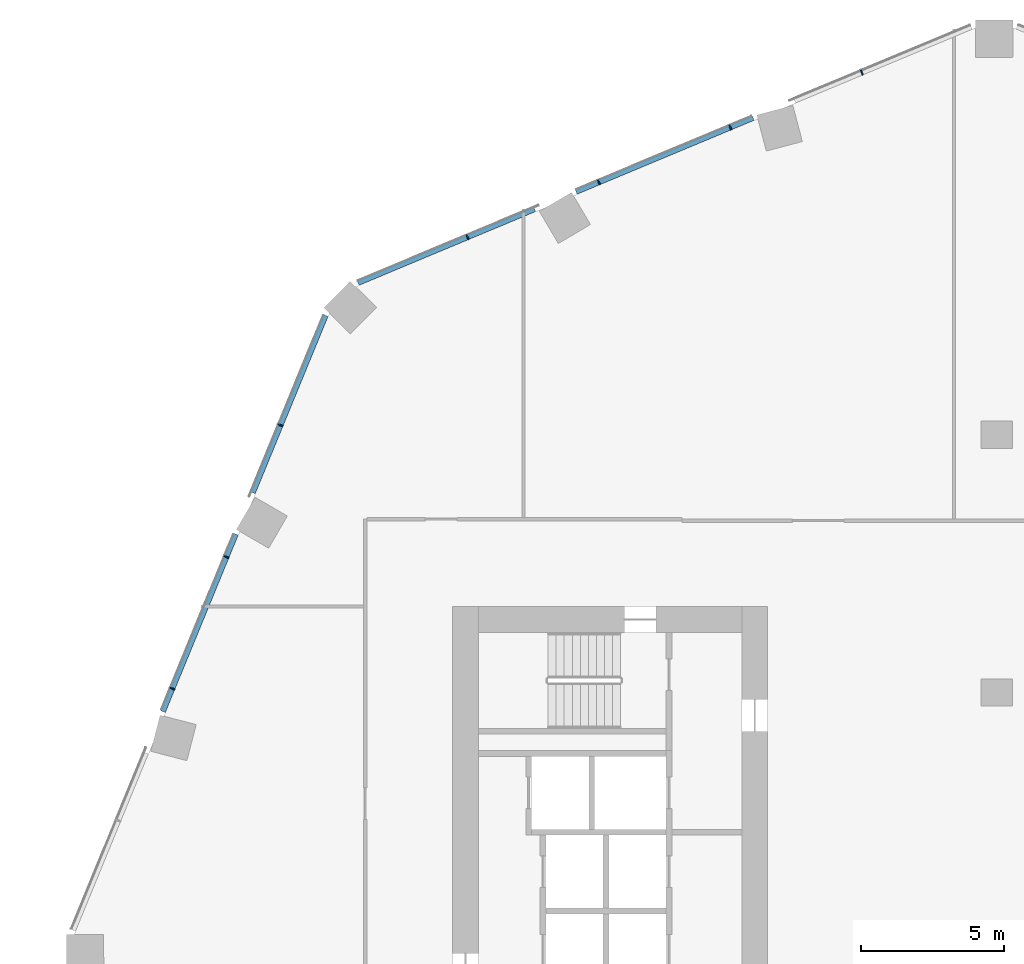
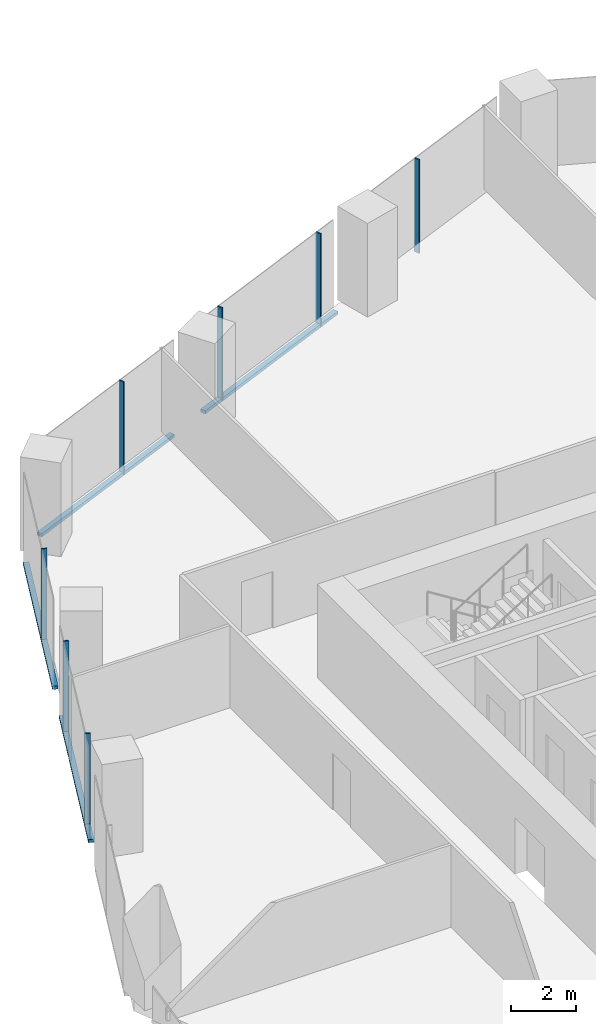
# One storey, part 12 of 34: 11 members, 2 elements without a shape of their own.
"""IFC4 building model written with IfcOpenShell, lengths in metres."""

from ifc_helpers import new_model, si_unit, direction, frame, origin, origin_2d, place, context, subcontext, project, spatial, rectangle, extrude, material, material_profile, profile_set, type_object, element, aggregate, save


model = new_model("IFC4")

# Units and contexts
model_context = context("Model", 3, precision=1e-05, world=origin(), true_north=direction((0.0, 1.0)))
body_context = subcontext(model_context, "Body", "Model", "MODEL_VIEW")
ifc_project = project(units=[si_unit("LENGTHUNIT", "METRE"), si_unit("AREAUNIT", "SQUARE_METRE"), si_unit("VOLUMEUNIT", "CUBIC_METRE"), si_unit("PLANEANGLEUNIT", "RADIAN"), si_unit("MASSUNIT", "GRAM", prefix="KILO")], contexts=[model_context])

# Site, building, storey
site_placement = place(None, origin())
site = spatial("IfcSite", under=ifc_project, at=site_placement, CompositionType="ELEMENT")
building_placement = place(site_placement, origin())
building = spatial("IfcBuilding", under=site, at=building_placement, Name="Orlundy Tower", CompositionType="ELEMENT")
storey_placement = place(building_placement, frame((0.0, 0.0, 109.199951171875)))
storey = spatial("IfcBuildingStorey", under=building, at=storey_placement, Name="L27", CompositionType="ELEMENT", Elevation=109.199951171875)

# Curtain wall, members
ifc_material_1 = material(Name="Aluminium bronze anodised", Category="aluminium")
curtain_wall_type = type_object("IfcCurtainWallType", Name="CW1 wall", PredefinedType="NOTDEFINED", material=ifc_material_1)
curtain_wall_1_placement = place(storey_placement, origin())
curtain_wall_1 = element("IfcCurtainWall", 1, at=curtain_wall_1_placement, inside=storey, type_object=curtain_wall_type, Name="CW1 run 014", PredefinedType="NOTDEFINED")
ifc_material_2 = material(Name="Aluminium bronze anodised", Category="aluminium")
ifc_material_profile_1 = material_profile(ifc_material_2, rectangle(XDim=0.179931640625, YDim=0.050048828125, at=origin_2d()), Name="CW1 mullion 50x180")
ifc_profile_set_1 = profile_set([ifc_material_profile_1], Name="Aluminium bronze anodised")
member_type_1 = type_object("IfcMemberType", Name="CW1 mullion 50x180", PredefinedType="MULLION", material=ifc_profile_set_1)
member_1_placement = place(storey_placement, frame((-28.777587890625, 9.135498046875, -0.39990234375), z_axis=(0.0, 0.0, 1.0), x_axis=(-0.924984462277, 0.380004927003, 0.0)))
member_1 = element("IfcMember", 2, at=member_1_placement, type_object=member_type_1, Name="CW1 mullion 36", PredefinedType="MULLION", context=body_context, shape_type="SweptSolid", body=[
    extrude(rectangle(XDim=0.179931640625, YDim=0.050048828125, at=origin_2d()), origin(), (0.0, 0.0, 1.0), 3.5),
])
member_2_placement = place(storey_placement, frame((-26.888916015625, 13.73291015625, -0.39990234375), z_axis=(0.0, 0.0, 1.0), x_axis=(-0.924984462277, 0.380004927003, 0.0)))
member_2 = element("IfcMember", 3, at=member_2_placement, type_object=member_type_1, Name="CW1 mullion 37", PredefinedType="MULLION", context=body_context, shape_type="SweptSolid", body=[
    extrude(rectangle(XDim=0.179931640625, YDim=0.050048828125, at=origin_2d()), origin(), (0.0, 0.0, 1.0), 3.5),
])
member_3_placement = place(storey_placement, frame((-25.0, 18.33056640625, -0.39990234375), z_axis=(0.0, 0.0, 1.0), x_axis=(-0.924984462277, 0.380004927003, 0.0)))
member_3 = element("IfcMember", 4, at=member_3_placement, type_object=member_type_1, Name="CW1 mullion 38", PredefinedType="MULLION", context=body_context, shape_type="SweptSolid", body=[
    extrude(rectangle(XDim=0.179931640625, YDim=0.050048828125, at=origin_2d()), origin(), (0.0, 0.0, 1.0), 3.5),
])

curtain_wall_2_placement = place(storey_placement, origin())
curtain_wall_2 = element("IfcCurtainWall", 5, at=curtain_wall_2_placement, inside=storey, type_object=curtain_wall_type, Name="CW1 run 015", PredefinedType="NOTDEFINED")
member_4_placement = place(storey_placement, frame((-18.475830078125, 24.892578125, -0.39990234375), z_axis=(0.0, 0.0, 1.0), x_axis=(-0.385375204433, 0.922759964351, 0.0)))
member_4 = element("IfcMember", 6, at=member_4_placement, type_object=member_type_1, Name="CW1 mullion 40", PredefinedType="MULLION", context=body_context, shape_type="SweptSolid", body=[
    extrude(rectangle(XDim=0.179931640625, YDim=0.050048828125, at=origin_2d()), origin(), (0.0, 0.0, 1.0), 3.5),
])
member_5_placement = place(storey_placement, frame((-13.88916015625, 26.808349609375, -0.39990234375), z_axis=(0.0, 0.0, 1.0), x_axis=(-0.385375204433, 0.922759964351, 0.0)))
member_5 = element("IfcMember", 7, at=member_5_placement, type_object=member_type_1, Name="CW1 mullion 41", PredefinedType="MULLION", context=body_context, shape_type="SweptSolid", body=[
    extrude(rectangle(XDim=0.179931640625, YDim=0.050048828125, at=origin_2d()), origin(), (0.0, 0.0, 1.0), 3.5),
])
member_6_placement = place(storey_placement, frame((-9.30224609375, 28.723876953125, -0.39990234375), z_axis=(0.0, 0.0, 1.0), x_axis=(-0.385375204433, 0.922759964351, 0.0)))
member_6 = element("IfcMember", 8, at=member_6_placement, type_object=member_type_1, Name="CW1 mullion 42", PredefinedType="MULLION", context=body_context, shape_type="SweptSolid", body=[
    extrude(rectangle(XDim=0.179931640625, YDim=0.050048828125, at=origin_2d()), origin(), (0.0, 0.0, 1.0), 3.5),
])
member_7_placement = place(storey_placement, frame((-4.715576171875, 30.639404296875, -0.39990234375), z_axis=(0.0, 0.0, 1.0), x_axis=(-0.385375204433, 0.922759964351, 0.0)))
member_7 = element("IfcMember", 9, at=member_7_placement, type_object=member_type_1, Name="CW1 mullion 43", PredefinedType="MULLION", context=body_context, shape_type="SweptSolid", body=[
    extrude(rectangle(XDim=0.179931640625, YDim=0.050048828125, at=origin_2d()), origin(), (0.0, 0.0, 1.0), 3.5),
])

# Member
ifc_material_3 = material(Name="Aluminium bronze anodised", Category="aluminium")
ifc_material_profile_2 = material_profile(ifc_material_3, rectangle(XDim=0.179931640625, YDim=0.1201171875, at=origin_2d()), Name="CW1 transom 180x120")
ifc_profile_set_2 = profile_set([ifc_material_profile_2], Name="Aluminium bronze anodised")
member_type_2 = type_object("IfcMemberType", Name="CW1 transom 180x120", PredefinedType="USERDEFINED", material=ifc_profile_set_2)
member_8_placement = place(storey_placement, frame((-29.105224609375, 8.338134765625, -0.33984375), z_axis=(0.380001321927, 0.924985943317, 0.0), x_axis=(-0.924985943317, 0.380001321927, 0.0)))
member_8 = element("IfcMember", 10, at=member_8_placement, type_object=member_type_2, Name="CW1 transom", ObjectType="TRANSOM", PredefinedType="USERDEFINED", context=body_context, shape_type="SweptSolid", body=[
    extrude(rectangle(XDim=0.179931640625, YDim=0.1201171875, at=origin_2d()), origin(), (0.0, 0.0, 1.0), 6.694580078125),
])

member_9_placement = place(storey_placement, frame((-25.9677734375, 15.974853515625, -0.33984375), z_axis=(0.380002508853, 0.924985455705, 0.0), x_axis=(-0.924985455705, 0.380002508853, 0.0)))
member_9 = element("IfcMember", 11, at=member_9_placement, type_object=member_type_2, Name="CW1 transom", ObjectType="TRANSOM", PredefinedType="USERDEFINED", context=body_context, shape_type="SweptSolid", body=[
    extrude(rectangle(XDim=0.179931640625, YDim=0.1201171875, at=origin_2d()), origin(), (0.0, 0.0, 1.0), 6.688720703125),
])

aggregate(curtain_wall_1, [member_1, member_2, member_3, member_8, member_9])

member_10_placement = place(storey_placement, frame((-22.2978515625, 23.29638671875, -0.33984375), z_axis=(0.922756794444, 0.385382794514, 0.0), x_axis=(-0.385382794514, 0.922756794444, 0.0)))
member_10 = element("IfcMember", 12, at=member_10_placement, type_object=member_type_2, Name="CW1 transom", ObjectType="TRANSOM", PredefinedType="USERDEFINED", context=body_context, shape_type="SweptSolid", body=[
    extrude(rectangle(XDim=0.179931640625, YDim=0.1201171875, at=origin_2d()), origin(), (0.0, 0.0, 1.0), 6.685302734375),
])

member_11_placement = place(storey_placement, frame((-14.6845703125, 26.47607421875, -0.33984375), z_axis=(0.922764802462, 0.385363619635, 0.0), x_axis=(-0.385363619635, 0.922764802462, 0.0)))
member_11 = element("IfcMember", 13, at=member_11_placement, type_object=member_type_2, Name="CW1 transom", ObjectType="TRANSOM", PredefinedType="USERDEFINED", context=body_context, shape_type="SweptSolid", body=[
    extrude(rectangle(XDim=0.179931640625, YDim=0.1201171875, at=origin_2d()), origin(), (0.0, 0.0, 1.0), 6.694580078125),
])

aggregate(curtain_wall_2, [member_4, member_5, member_6, member_7, member_10, member_11])

save(model, "model.ifc")
